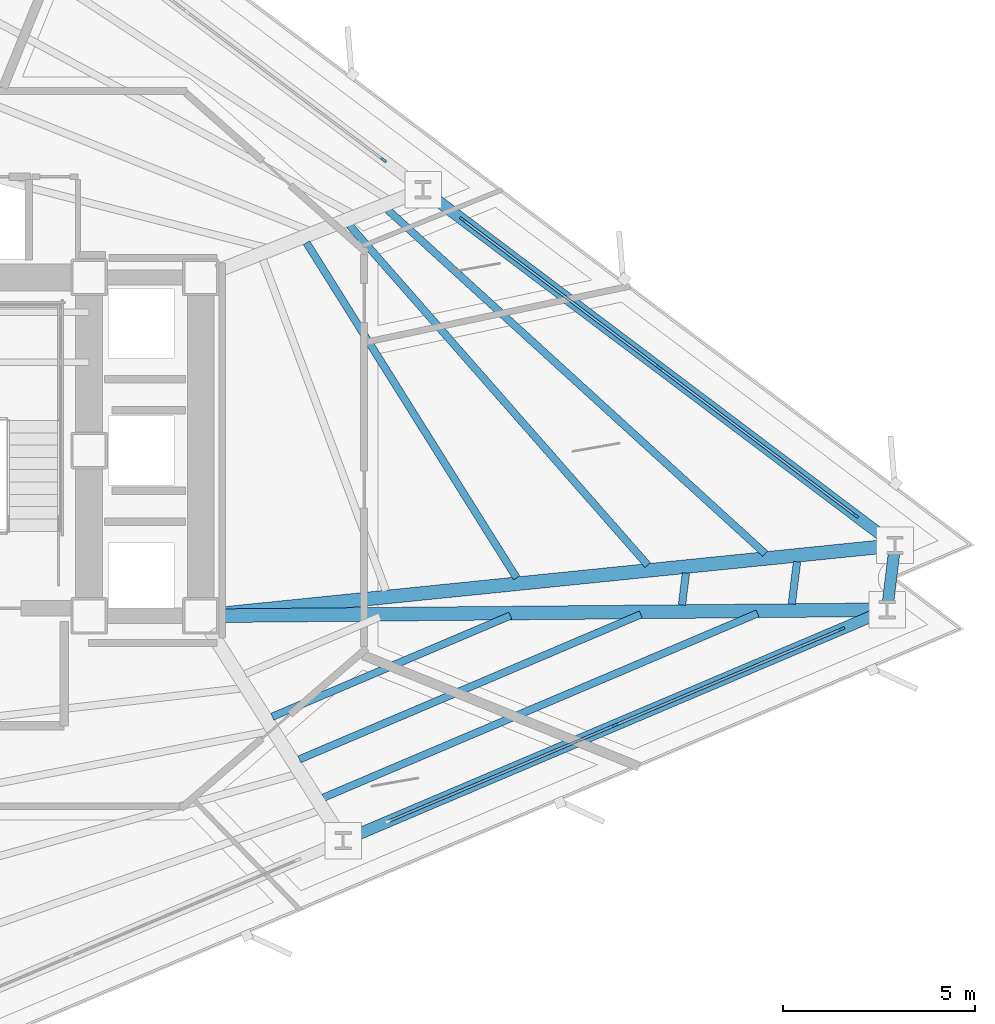
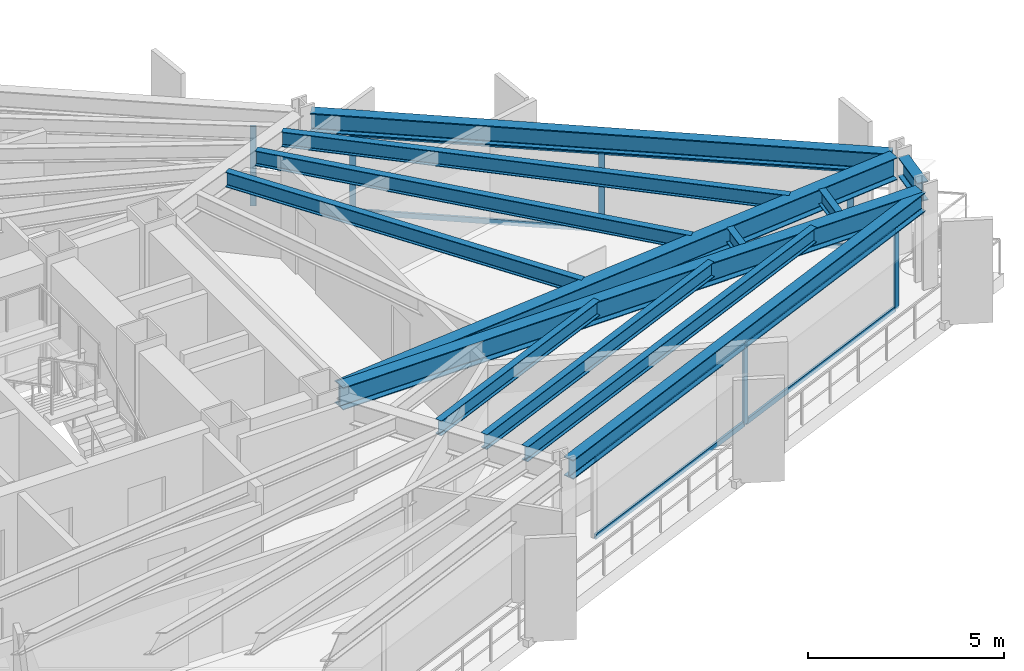
# One storey, part 4 of 13: 14 members, 13 beams, 3 elements without a shape of their own.
"""IFC4 building model written with IfcOpenShell, lengths in metres."""

from ifc_helpers import new_model, si_unit, direction, frame, origin, origin_2d, place, context, subcontext, project, spatial, rectangle, i_section, extrude, material, layer, layer_set, material_profile, profile_set, type_object, element, aggregate, save


model = new_model("IFC4")

# Units and contexts
model_context = context("Model", 3, precision=1e-05, world=origin(), true_north=direction((0.0, 1.0)))
body_context = subcontext(model_context, "Body", "Model", "MODEL_VIEW")
ifc_project = project(units=[si_unit("LENGTHUNIT", "METRE"), si_unit("AREAUNIT", "SQUARE_METRE"), si_unit("VOLUMEUNIT", "CUBIC_METRE"), si_unit("PLANEANGLEUNIT", "RADIAN"), si_unit("MASSUNIT", "GRAM", prefix="KILO")], contexts=[model_context])

# Site, building, storey
site_placement = place(None, origin())
site = spatial("IfcSite", under=ifc_project, at=site_placement, CompositionType="ELEMENT")
building_placement = place(site_placement, origin())
building = spatial("IfcBuilding", under=site, at=building_placement, Name="Rocaltana Carrier Exchange", CompositionType="ELEMENT")
storey_placement = place(building_placement, frame((0.0, 0.0, 49.60009765625)))
storey = spatial("IfcBuildingStorey", under=building, at=storey_placement, Name="L15", CompositionType="ELEMENT", Elevation=49.60009765625)

# Curtain wall, members
ifc_material_1 = material(Name="Aluminium 6063-T6", Category="aluminium")
ifc_layer = layer(ifc_material_1, 0.1650390625)
ifc_layer_set = layer_set([ifc_layer], Name="Aluminium 6063-T6")
curtain_wall_type = type_object("IfcCurtainWallType", Name="Lower-Mid Stepped Curtain Wall CW-02", PredefinedType="NOTDEFINED", material=ifc_layer_set)
curtain_wall_1_placement = place(storey_placement, origin())
curtain_wall_1 = element("IfcCurtainWall", 1, at=curtain_wall_1_placement, inside=storey, type_object=curtain_wall_type, Name="L15 CW-02 Run CW-L15-F1S1", PredefinedType="NOTDEFINED")
ifc_material_2 = material(Name="Aluminium 6063-T6", Category="aluminium")
ifc_material_profile_1 = material_profile(ifc_material_2, rectangle(XDim=0.06494140625, YDim=0.1650390625, at=origin_2d()), Name="AL-65X165")
ifc_profile_set_1 = profile_set([ifc_material_profile_1], Name="Aluminium 6063-T6")
member_type_1 = type_object("IfcMemberType", Name="CW-02 Mullion AL-65X165", PredefinedType="MULLION", material=ifc_profile_set_1)
member_1_placement = place(storey_placement, frame((25.978759765625, -1.69482421875, 0.0), z_axis=(0.0, 0.0, 1.0), x_axis=(-0.601806560833, -0.798641886792, 0.0)))
member_1 = element("IfcMember", 2, at=member_1_placement, type_object=member_type_1, Name="CW-02 mullion 1", PredefinedType="MULLION", context=body_context, shape_type="SweptSolid", body=[
    extrude(rectangle(XDim=0.06494140625, YDim=0.1650390625, at=origin_2d()), origin(), (0.0, 0.0, 1.0), 2.477783203125),
])
member_2_placement = place(storey_placement, frame((20.86669921875, 2.1572265625, 0.0), z_axis=(0.0, 0.0, 1.0), x_axis=(-0.601806560833, -0.798641886792, 0.0)))
member_2 = element("IfcMember", 3, at=member_2_placement, type_object=member_type_1, Name="CW-02 mullion 2", PredefinedType="MULLION", context=body_context, shape_type="SweptSolid", body=[
    extrude(rectangle(XDim=0.06494140625, YDim=0.1650390625, at=origin_2d()), origin(), (0.0, 0.0, 1.0), 2.477783203125),
])
member_3_placement = place(storey_placement, frame((15.754638671875, 6.00927734375, 0.0), z_axis=(0.0, 0.0, 1.0), x_axis=(-0.601806560833, -0.798641886792, 0.0)))
member_3 = element("IfcMember", 4, at=member_3_placement, type_object=member_type_1, Name="CW-02 mullion 3", PredefinedType="MULLION", context=body_context, shape_type="SweptSolid", body=[
    extrude(rectangle(XDim=0.06494140625, YDim=0.1650390625, at=origin_2d()), origin(), (0.0, 0.0, 1.0), 2.477783203125),
])

# Curtain wall, member
curtain_wall_2_placement = place(storey_placement, origin())
curtain_wall_2 = element("IfcCurtainWall", 5, at=curtain_wall_2_placement, inside=storey, type_object=curtain_wall_type, Name="L15 CW-02 Run CW-L15-F1S2", PredefinedType="NOTDEFINED")
member_4_placement = place(storey_placement, frame((13.706298828125, 7.552978515625, 0.0), z_axis=(0.0, 0.0, 1.0), x_axis=(-0.601815253533, -0.798635336443, 0.0)))
member_4 = element("IfcMember", 6, at=member_4_placement, type_object=member_type_1, Name="CW-02 mullion 1", PredefinedType="MULLION", context=body_context, shape_type="SweptSolid", body=[
    extrude(rectangle(XDim=0.06494140625, YDim=0.1650390625, at=origin_2d()), origin(), (0.0, 0.0, 1.0), 2.477783203125),
])
aggregate(curtain_wall_2, [member_4])

# Curtain wall, members
curtain_wall_3_placement = place(storey_placement, origin())
curtain_wall_3 = element("IfcCurtainWall", 7, at=curtain_wall_3_placement, inside=storey, type_object=curtain_wall_type, Name="L15 CW-02 Run CW-L15-F3S3", PredefinedType="NOTDEFINED")
member_5_placement = place(storey_placement, frame((19.72509765625, -7.141357421875, 0.0), z_axis=(0.0, 0.0, 1.0), x_axis=(-0.390735259141, 0.920503100084, 0.0)))
member_5 = element("IfcMember", 8, at=member_5_placement, type_object=member_type_1, Name="CW-02 mullion 2", PredefinedType="MULLION", context=body_context, shape_type="SweptSolid", body=[
    extrude(rectangle(XDim=0.06494140625, YDim=0.1650390625, at=origin_2d()), origin(), (0.0, 0.0, 1.0), 2.477783203125),
])
member_6_placement = place(storey_placement, frame((25.6171875, -4.64013671875, 0.0), z_axis=(0.0, 0.0, 1.0), x_axis=(-0.390735259141, 0.920503100084, 0.0)))
member_6 = element("IfcMember", 9, at=member_6_placement, type_object=member_type_1, Name="CW-02 mullion 3", PredefinedType="MULLION", context=body_context, shape_type="SweptSolid", body=[
    extrude(rectangle(XDim=0.06494140625, YDim=0.1650390625, at=origin_2d()), origin(), (0.0, 0.0, 1.0), 2.477783203125),
])

# Member
ifc_material_3 = material(Name="Aluminium 6063-T6", Category="aluminium")
ifc_material_profile_2 = material_profile(ifc_material_3, rectangle(XDim=0.06494140625, YDim=0.1650390625, at=origin_2d()), Name="AL-65X165")
ifc_profile_set_2 = profile_set([ifc_material_profile_2], Name="Aluminium 6063-T6")
member_type_2 = type_object("IfcMemberType", Name="CW-02 Transom AL-65X165", PredefinedType="USERDEFINED", material=ifc_profile_set_2)
member_7_placement = place(storey_placement, frame((25.95263671875, -1.67529296875, 0.032470703125), z_axis=(-0.798638496284, 0.601811060261, 0.0), x_axis=(-0.601811060261, -0.798638496284, 0.0)))
member_7 = element("IfcMember", 10, at=member_7_placement, type_object=member_type_2, Name="CW-02 transom 1.1", ObjectType="TRANSOM", PredefinedType="USERDEFINED", context=body_context, shape_type="SweptSolid", body=[
    extrude(rectangle(XDim=0.06494140625, YDim=0.1650390625, at=origin_2d()), origin(), (0.0, 0.0, 1.0), 6.3359375),
])

member_8_placement = place(storey_placement, frame((25.95263671875, -1.67529296875, 2.4453125), z_axis=(-0.798638496284, 0.601811060261, 0.0), x_axis=(-0.601811060261, -0.798638496284, 0.0)))
member_8 = element("IfcMember", 11, at=member_8_placement, type_object=member_type_2, Name="CW-02 transom 1.2", ObjectType="TRANSOM", PredefinedType="USERDEFINED", context=body_context, shape_type="SweptSolid", body=[
    extrude(rectangle(XDim=0.06494140625, YDim=0.1650390625, at=origin_2d()), origin(), (0.0, 0.0, 1.0), 6.3359375),
])

member_9_placement = place(storey_placement, frame((20.8408203125, 2.1767578125, 0.032470703125), z_axis=(-0.798638496284, 0.601811060261, 0.0), x_axis=(-0.601811060261, -0.798638496284, 0.0)))
member_9 = element("IfcMember", 12, at=member_9_placement, type_object=member_type_2, Name="CW-02 transom 2.1", ObjectType="TRANSOM", PredefinedType="USERDEFINED", context=body_context, shape_type="SweptSolid", body=[
    extrude(rectangle(XDim=0.06494140625, YDim=0.1650390625, at=origin_2d()), origin(), (0.0, 0.0, 1.0), 6.3359375),
])

member_10_placement = place(storey_placement, frame((20.8408203125, 2.1767578125, 2.4453125), z_axis=(-0.798638496284, 0.601811060261, 0.0), x_axis=(-0.601811060261, -0.798638496284, 0.0)))
member_10 = element("IfcMember", 13, at=member_10_placement, type_object=member_type_2, Name="CW-02 transom 2.2", ObjectType="TRANSOM", PredefinedType="USERDEFINED", context=body_context, shape_type="SweptSolid", body=[
    extrude(rectangle(XDim=0.06494140625, YDim=0.1650390625, at=origin_2d()), origin(), (0.0, 0.0, 1.0), 6.3359375),
])

aggregate(curtain_wall_1, [member_1, member_2, member_3, member_7, member_8, member_9, member_10])

member_11_placement = place(storey_placement, frame((13.863037109375, -9.629638671875, 0.032470703125), z_axis=(0.920502835622, 0.390735882167, 0.0), x_axis=(-0.390735882167, 0.920502835622, 0.0)))
member_11 = element("IfcMember", 14, at=member_11_placement, type_object=member_type_2, Name="CW-02 transom 1.1", ObjectType="TRANSOM", PredefinedType="USERDEFINED", context=body_context, shape_type="SweptSolid", body=[
    extrude(rectangle(XDim=0.06494140625, YDim=0.1650390625, at=origin_2d()), origin(), (0.0, 0.0, 1.0), 6.335693359375),
])

member_12_placement = place(storey_placement, frame((13.863037109375, -9.629638671875, 2.4453125), z_axis=(0.920502835622, 0.390735882167, 0.0), x_axis=(-0.390735882167, 0.920502835622, 0.0)))
member_12 = element("IfcMember", 15, at=member_12_placement, type_object=member_type_2, Name="CW-02 transom 1.2", ObjectType="TRANSOM", PredefinedType="USERDEFINED", context=body_context, shape_type="SweptSolid", body=[
    extrude(rectangle(XDim=0.06494140625, YDim=0.1650390625, at=origin_2d()), origin(), (0.0, 0.0, 1.0), 6.335693359375),
])

member_13_placement = place(storey_placement, frame((19.7548828125, -7.128662109375, 0.032470703125), z_axis=(0.920494859312, 0.390754672372, 0.0), x_axis=(-0.390754672372, 0.920494859312, 0.0)))
member_13 = element("IfcMember", 16, at=member_13_placement, type_object=member_type_2, Name="CW-02 transom 2.1", ObjectType="TRANSOM", PredefinedType="USERDEFINED", context=body_context, shape_type="SweptSolid", body=[
    extrude(rectangle(XDim=0.06494140625, YDim=0.1650390625, at=origin_2d()), origin(), (0.0, 0.0, 1.0), 6.3359375),
])

member_14_placement = place(storey_placement, frame((19.7548828125, -7.128662109375, 2.4453125), z_axis=(0.920494859312, 0.390754672372, 0.0), x_axis=(-0.390754672372, 0.920494859312, 0.0)))
member_14 = element("IfcMember", 17, at=member_14_placement, type_object=member_type_2, Name="CW-02 transom 2.2", ObjectType="TRANSOM", PredefinedType="USERDEFINED", context=body_context, shape_type="SweptSolid", body=[
    extrude(rectangle(XDim=0.06494140625, YDim=0.1650390625, at=origin_2d()), origin(), (0.0, 0.0, 1.0), 6.3359375),
])

aggregate(curtain_wall_3, [member_5, member_6, member_11, member_12, member_13, member_14])

# Beams
ifc_material_4 = material(Name="Steel S355", Category="steel")
ifc_material_profile_3 = material_profile(ifc_material_4, i_section(OverallWidth=0.193115234375, OverallDepth=0.466064453125, WebThickness=0.011474609375, FlangeThickness=0.01904296875, FilletRadius=0.013916015625, at=origin_2d()), Name="W18X65")
ifc_profile_set_3 = profile_set([ifc_material_profile_3], Name="Steel S355")
beam_type_1 = type_object("IfcBeamType", Name="Floor Joist W18X65", PredefinedType="JOIST", material=ifc_profile_set_3)
beam_1_placement = place(storey_placement, frame((17.1630859375, -3.311279296875, 2.864990234375), z_axis=(-0.531103653512, 0.847306856591, 0.0), x_axis=(-0.847306856591, -0.531103653512, 0.0)))
element("IfcBeam", 18, at=beam_1_placement, inside=storey, type_object=beam_type_1, Name="FJ-L15-01-2", PredefinedType="JOIST", context=body_context, shape_type="SweptSolid", body=[
    extrude(i_section(OverallWidth=0.193115234375, OverallDepth=0.466064453125, WebThickness=0.011474609375, FlangeThickness=0.01904296875, FilletRadius=0.013916015625, at=origin_2d()), origin(), (0.0, 0.0, 1.0), 10.285888671875),
])
beam_2_placement = place(storey_placement, frame((20.5712890625, -2.9794921875, 2.864990234375), z_axis=(-0.659558512546, 0.751653223587, 0.0), x_axis=(-0.751653223587, -0.659558512546, 0.0)))
element("IfcBeam", 19, at=beam_2_placement, inside=storey, type_object=beam_type_1, Name="FJ-L15-01-3", PredefinedType="JOIST", context=body_context, shape_type="SweptSolid", body=[
    extrude(i_section(OverallWidth=0.193115234375, OverallDepth=0.466064453125, WebThickness=0.011474609375, FlangeThickness=0.01904296875, FilletRadius=0.013916015625, at=origin_2d()), origin(), (0.0, 0.0, 1.0), 11.751708984375),
])
beam_3_placement = place(storey_placement, frame((23.626708984375, -2.68115234375, 2.864990234375), z_axis=(-0.739263706451, 0.673416046976, 0.0), x_axis=(-0.673416046976, -0.739263706451, 0.0)))
element("IfcBeam", 20, at=beam_3_placement, inside=storey, type_object=beam_type_1, Name="FJ-L15-01-4", PredefinedType="JOIST", context=body_context, shape_type="SweptSolid", body=[
    extrude(i_section(OverallWidth=0.193115234375, OverallDepth=0.466064453125, WebThickness=0.011474609375, FlangeThickness=0.01904296875, FilletRadius=0.013916015625, at=origin_2d()), origin(), (0.0, 0.0, 1.0), 13.269775390625),
])
beam_4_placement = place(storey_placement, frame((10.81103515625, -6.9208984375, 2.864990234375), z_axis=(0.920502665094, 0.390736283898, 0.0), x_axis=(-0.390736283898, 0.920502665094, 0.0)))
element("IfcBeam", 21, at=beam_4_placement, inside=storey, type_object=beam_type_1, Name="FJ-L15-11-2", PredefinedType="JOIST", context=body_context, shape_type="SweptSolid", body=[
    extrude(i_section(OverallWidth=0.193115234375, OverallDepth=0.466064453125, WebThickness=0.011474609375, FlangeThickness=0.01904296875, FilletRadius=0.013916015625, at=origin_2d()), origin(), (0.0, 0.0, 1.0), 6.7255859375),
])
beam_5_placement = place(storey_placement, frame((11.514404296875, -8.03125, 2.864990234375), z_axis=(0.920503721311, 0.390733795636, 0.0), x_axis=(-0.390733795636, 0.920503721311, 0.0)))
element("IfcBeam", 22, at=beam_5_placement, inside=storey, type_object=beam_type_1, Name="FJ-L15-11-3", PredefinedType="JOIST", context=body_context, shape_type="SweptSolid", body=[
    extrude(i_section(OverallWidth=0.193115234375, OverallDepth=0.466064453125, WebThickness=0.011474609375, FlangeThickness=0.01904296875, FilletRadius=0.013916015625, at=origin_2d()), origin(), (0.0, 0.0, 1.0), 9.6455078125),
])
beam_6_placement = place(storey_placement, frame((12.143798828125, -9.024658203125, 2.864990234375), z_axis=(0.920504513762, 0.390731928749, 0.0), x_axis=(-0.390731928749, 0.920504513762, 0.0)))
element("IfcBeam", 23, at=beam_6_placement, inside=storey, type_object=beam_type_1, Name="FJ-L15-11-4", PredefinedType="JOIST", context=body_context, shape_type="SweptSolid", body=[
    extrude(i_section(OverallWidth=0.193115234375, OverallDepth=0.466064453125, WebThickness=0.011474609375, FlangeThickness=0.01904296875, FilletRadius=0.013916015625, at=origin_2d()), origin(), (0.0, 0.0, 1.0), 12.2578125),
])
beam_7_placement = place(storey_placement, frame((21.464111328125, -4.01708984375, 2.864990234375), z_axis=(0.122022478493, 0.992527337025, 0.0), x_axis=(-0.992527337025, 0.122022478493, 0.0)))
element("IfcBeam", 24, at=beam_7_placement, inside=storey, type_object=beam_type_1, Name="FJ-L15-12-3", PredefinedType="JOIST", context=body_context, shape_type="SweptSolid", body=[
    extrude(i_section(OverallWidth=0.193115234375, OverallDepth=0.466064453125, WebThickness=0.011474609375, FlangeThickness=0.01904296875, FilletRadius=0.013916015625, at=origin_2d()), origin(), (0.0, 0.0, 1.0), 0.83642578125),
])
beam_8_placement = place(storey_placement, frame((24.31982421875, -3.991455078125, 2.864990234375), z_axis=(0.121834081675, 0.992550480602, 0.0), x_axis=(-0.992550480602, 0.121834081675, 0.0)))
element("IfcBeam", 25, at=beam_8_placement, inside=storey, type_object=beam_type_1, Name="FJ-L15-12-4", PredefinedType="JOIST", context=body_context, shape_type="SweptSolid", body=[
    extrude(i_section(OverallWidth=0.193115234375, OverallDepth=0.466064453125, WebThickness=0.011474609375, FlangeThickness=0.01904296875, FilletRadius=0.013916015625, at=origin_2d()), origin(), (0.0, 0.0, 1.0), 1.106201171875),
])
ifc_material_5 = material(Name="Steel S355", Category="steel")
ifc_material_profile_4 = material_profile(ifc_material_5, i_section(OverallWidth=0.35498046875, OverallDepth=0.695068359375, WebThickness=0.015380859375, FlangeThickness=0.02490234375, FilletRadius=0.01806640625, at=origin_2d()), Name="W27X146")
ifc_profile_set_4 = profile_set([ifc_material_profile_4], Name="Steel S355")
beam_type_2 = type_object("IfcBeamType", Name="Radial Girder W27X146", PredefinedType="BEAM", material=ifc_profile_set_4)
beam_9_placement = place(storey_placement, frame((9.41455078125, -4.252685546875, 2.75048828125), z_axis=(0.994883866015, 0.101025210436, 0.0), x_axis=(-0.101025210436, 0.994883866015, 0.0)))
element("IfcBeam", 26, at=beam_9_placement, inside=storey, type_object=beam_type_2, Name="RG-L15-01", PredefinedType="BEAM", context=body_context, shape_type="SweptSolid", body=[
    extrude(i_section(OverallWidth=0.35498046875, OverallDepth=0.695068359375, WebThickness=0.015380859375, FlangeThickness=0.02490234375, FilletRadius=0.01806640625, at=origin_2d()), origin(), (0.0, 0.0, 1.0), 17.474609375),
])
beam_10_placement = place(storey_placement, frame((9.4169921875, -4.2958984375, 2.75048828125), z_axis=(0.999959271259, 0.009025288, 0.0), x_axis=(-0.009025288, 0.999959271259, 0.0)))
element("IfcBeam", 27, at=beam_10_placement, inside=storey, type_object=beam_type_2, Name="RG-L15-12", PredefinedType="BEAM", context=body_context, shape_type="SweptSolid", body=[
    extrude(i_section(OverallWidth=0.35498046875, OverallDepth=0.695068359375, WebThickness=0.015380859375, FlangeThickness=0.02490234375, FilletRadius=0.01806640625, at=origin_2d()), origin(), (0.0, 0.0, 1.0), 17.17724609375),
])
ifc_material_6 = material(Name="Steel S355", Category="steel")
ifc_material_profile_5 = material_profile(ifc_material_6, i_section(OverallWidth=0.300048828125, OverallDepth=0.60009765625, WebThickness=0.015380859375, FlangeThickness=0.030029296875, FilletRadius=0.027099609375, at=origin_2d()), Name="HEB600")
ifc_profile_set_5 = profile_set([ifc_material_profile_5], Name="Steel S355")
beam_type_3 = type_object("IfcBeamType", Name="Spandrel Edge Beam HEB600", PredefinedType="SPANDREL", material=ifc_profile_set_5)
for number, where, z_axis, x_axis, name in (
    (28, (26.840087890625, -2.343994140625, 2.7978515625), (-0.798646600906, 0.601800304803, 0.0), (-0.601800304803, -0.798646600906, 0.0), "SP-L15-01"),
    (29, (12.84033203125, -10.063720703125, 2.7978515625), (0.920501211771, 0.390739707642, 0.0), (-0.390739707642, 0.920501211771, 0.0), "SP-L15-11"),
):
    element("IfcBeam", number, at=place(storey_placement, frame(where, z_axis=z_axis, x_axis=x_axis)), inside=storey, type_object=beam_type_3, Name=name, PredefinedType="SPANDREL", context=body_context, shape_type="SweptSolid", body=[
        extrude(i_section(OverallWidth=0.300048828125, OverallDepth=0.60009765625, WebThickness=0.015380859375, FlangeThickness=0.030029296875, FilletRadius=0.027099609375, at=origin_2d()), origin(), (0.0, 0.0, 1.0), 14.958740234375),
    ])
beam_11_placement = place(storey_placement, frame((26.822509765625, -3.9365234375, 2.7978515625), z_axis=(0.121798770325, 0.992554814379, 0.0), x_axis=(-0.992554814379, 0.121798770325, 0.0)))
element("IfcBeam", 30, at=beam_11_placement, inside=storey, type_object=beam_type_3, Name="SP-L15-12", PredefinedType="SPANDREL", context=body_context, shape_type="SweptSolid", body=[
    extrude(i_section(OverallWidth=0.300048828125, OverallDepth=0.60009765625, WebThickness=0.015380859375, FlangeThickness=0.030029296875, FilletRadius=0.027099609375, at=origin_2d()), origin(), (0.0, 0.0, 1.0), 1.27685546875),
])

save(model, "model.ifc")
